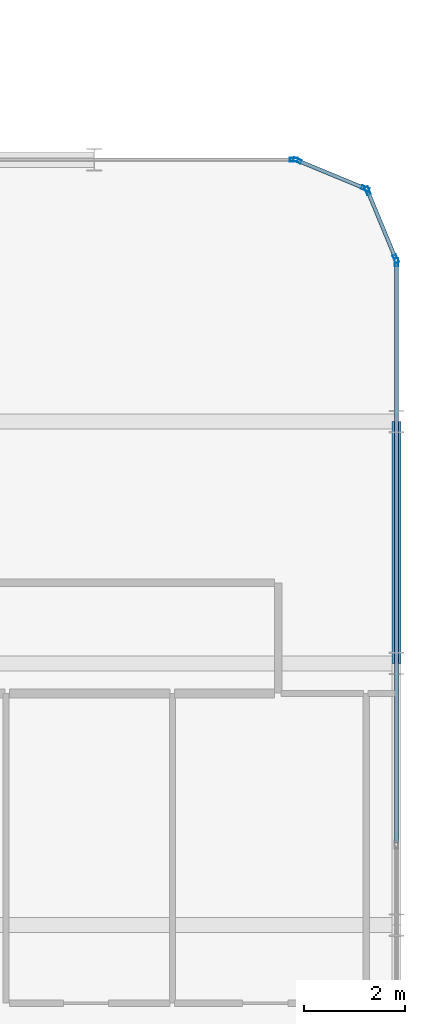
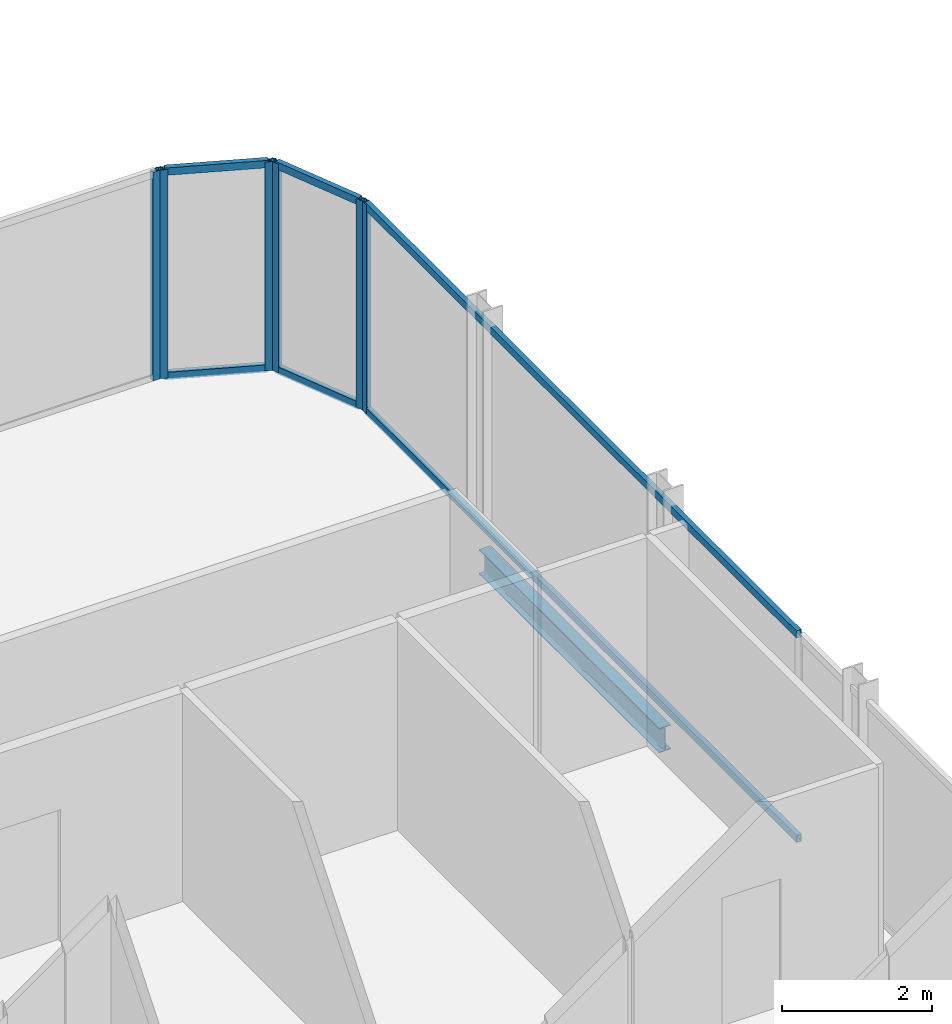
# One storey, part 15 of 29: 12 members, 1 beam, 4 elements without a shape of their own.
"""IFC4 building model written with IfcOpenShell, lengths in metres."""

from ifc_helpers import new_model, si_unit, direction, frame, origin, origin_2d, place, context, subcontext, project, spatial, hollow_rectangle, i_section, extrude, material, layer, layer_set, material_profile, profile_set, type_object, element, aggregate, save


model = new_model("IFC4")

# Units and contexts
model_context = context("Model", 3, precision=1e-05, world=origin(), true_north=direction((0.0, 1.0)))
body_context = subcontext(model_context, "Body", "Model", "MODEL_VIEW")
ifc_project = project(units=[si_unit("LENGTHUNIT", "METRE"), si_unit("AREAUNIT", "SQUARE_METRE"), si_unit("VOLUMEUNIT", "CUBIC_METRE"), si_unit("PLANEANGLEUNIT", "RADIAN"), si_unit("MASSUNIT", "GRAM", prefix="KILO")], contexts=[model_context])

# Site, building, storey
site_placement = place(None, origin())
site = spatial("IfcSite", under=ifc_project, at=site_placement, CompositionType="ELEMENT")
building_placement = place(site_placement, origin())
building = spatial("IfcBuilding", under=site, at=building_placement, Name="Keshet Zoharim Tower", CompositionType="ELEMENT")
storey_placement = place(building_placement, frame((0.0, 0.0, 199.5)))
storey = spatial("IfcBuildingStorey", under=building, at=storey_placement, Name="L49", CompositionType="ELEMENT", Elevation=199.5)

# Beam
ifc_material_1 = material(Name="Steel S355", Category="steel")
ifc_material_profile_1 = material_profile(ifc_material_1, i_section(OverallWidth=0.179931640625, OverallDepth=0.39990234375, WebThickness=0.008544921875, FlangeThickness=0.013427734375, FilletRadius=0.02099609375, at=origin_2d()), Name="IPE400")
ifc_profile_set_1 = profile_set([ifc_material_profile_1], Name="Steel S355")
beam_type = type_object("IfcBeamType", Name="BM-PRI-IP400", PredefinedType="BEAM", material=ifc_profile_set_1)
beam_placement = place(storey_placement, frame((57.0, 17.89990234375, -0.510009765625), z_axis=(0.0, 1.0, 0.0), x_axis=(-1.0, 0.0, 0.0)))
element("IfcBeam", 1, at=beam_placement, inside=storey, type_object=beam_type, Name="L49 Primary Girder Y-015", PredefinedType="BEAM", context=body_context, shape_type="SweptSolid", body=[
    extrude(i_section(OverallWidth=0.179931640625, OverallDepth=0.39990234375, WebThickness=0.008544921875, FlangeThickness=0.013427734375, FilletRadius=0.02099609375, at=origin_2d()), origin(), (0.0, 0.0, 1.0), 4.800048828125),
])

# Curtain wall, members
ifc_material_2 = material(Name="Aluminium 6063-T6", Category="aluminium")
ifc_layer = layer(ifc_material_2, 0.139892578125)
ifc_layer_set = layer_set([ifc_layer], Name="Aluminium 6063-T6")
curtain_wall_type = type_object("IfcCurtainWallType", Name="CW-SYS-05", PredefinedType="NOTDEFINED", material=ifc_layer_set)
curtain_wall_1_placement = place(storey_placement, origin())
curtain_wall_1 = element("IfcCurtainWall", 2, at=curtain_wall_1_placement, inside=storey, type_object=curtain_wall_type, Name="L49 Unitised Curtain Wall 01", PredefinedType="NOTDEFINED")
ifc_material_profile_2 = material_profile(ifc_material_2, hollow_rectangle(XDim=0.074951171875, YDim=0.159912109375, WallThickness=0.00390625, at=origin_2d()), Name="MUL-75x160")
ifc_profile_set_2 = profile_set([ifc_material_profile_2], Name="Aluminium 6063-T6")
member_type_1 = type_object("IfcMemberType", Name="CWM-M15", PredefinedType="MULLION", material=ifc_profile_set_2)
member_1_placement = place(storey_placement, frame((55.0322265625, 27.88671875, 0.0), z_axis=(0.0, 0.0, 1.0), x_axis=(0.382851849847, 0.92380975372, 0.0)))
member_1 = element("IfcMember", 3, at=member_1_placement, type_object=member_type_1, Name="CW-05 mullion 1", PredefinedType="MULLION", context=body_context, shape_type="SweptSolid", body=[
    extrude(hollow_rectangle(XDim=0.074951171875, YDim=0.159912109375, WallThickness=0.00390625, at=origin_2d()), origin(), (0.0, 0.0, 1.0), 3.389892578125),
])
member_2_placement = place(storey_placement, frame((56.381591796875, 27.327392578125, 0.0), z_axis=(0.0, 0.0, 1.0), x_axis=(0.382851849847, 0.92380975372, 0.0)))
member_2 = element("IfcMember", 4, at=member_2_placement, type_object=member_type_1, Name="CW-05 mullion 2", PredefinedType="MULLION", context=body_context, shape_type="SweptSolid", body=[
    extrude(hollow_rectangle(XDim=0.074951171875, YDim=0.159912109375, WallThickness=0.00390625, at=origin_2d()), origin(), (0.0, 0.0, 1.0), 3.389892578125),
])

curtain_wall_2_placement = place(storey_placement, origin())
curtain_wall_2 = element("IfcCurtainWall", 5, at=curtain_wall_2_placement, inside=storey, type_object=curtain_wall_type, Name="L49 Unitised Curtain Wall 02", PredefinedType="NOTDEFINED")
member_3_placement = place(storey_placement, frame((56.427490234375, 27.28173828125, 0.0), z_axis=(0.0, 0.0, 1.0), x_axis=(0.92380975372, 0.382851849847, 0.0)))
member_3 = element("IfcMember", 6, at=member_3_placement, type_object=member_type_1, Name="CW-05 mullion 1", PredefinedType="MULLION", context=body_context, shape_type="SweptSolid", body=[
    extrude(hollow_rectangle(XDim=0.074951171875, YDim=0.159912109375, WallThickness=0.00390625, at=origin_2d()), origin(), (0.0, 0.0, 1.0), 3.389892578125),
])
member_4_placement = place(storey_placement, frame((56.986572265625, 25.932373046875, 0.0), z_axis=(0.0, 0.0, 1.0), x_axis=(0.92380975372, 0.382851849847, 0.0)))
member_4 = element("IfcMember", 7, at=member_4_placement, type_object=member_type_1, Name="CW-05 mullion 2", PredefinedType="MULLION", context=body_context, shape_type="SweptSolid", body=[
    extrude(hollow_rectangle(XDim=0.074951171875, YDim=0.159912109375, WallThickness=0.00390625, at=origin_2d()), origin(), (0.0, 0.0, 1.0), 3.389892578125),
])

# Curtain wall, member
curtain_wall_3_placement = place(storey_placement, origin())
curtain_wall_3 = element("IfcCurtainWall", 8, at=curtain_wall_3_placement, inside=storey, type_object=curtain_wall_type, Name="L49 Unitised Curtain Wall 03", PredefinedType="NOTDEFINED")
member_5_placement = place(storey_placement, frame((57.0, 25.864990234375, 0.0), z_axis=(0.0, 0.0, 1.0), x_axis=(1.0, 0.0, 0.0)))
member_5 = element("IfcMember", 9, at=member_5_placement, type_object=member_type_1, Name="CW-05 mullion 1", PredefinedType="MULLION", context=body_context, shape_type="SweptSolid", body=[
    extrude(hollow_rectangle(XDim=0.074951171875, YDim=0.159912109375, WallThickness=0.00390625, at=origin_2d()), origin(), (0.0, 0.0, 1.0), 3.389892578125),
])

curtain_wall_4_placement = place(storey_placement, origin())
curtain_wall_4 = element("IfcCurtainWall", 10, at=curtain_wall_4_placement, inside=storey, type_object=curtain_wall_type, Name="L49 Unitised Curtain Wall 20 Part 2", PredefinedType="NOTDEFINED")
member_6_placement = place(storey_placement, frame((54.965087890625, 27.89990234375, 0.0), z_axis=(0.0, 0.0, 1.0), x_axis=(0.0, 1.0, 0.0)))
member_6 = element("IfcMember", 11, at=member_6_placement, type_object=member_type_1, Name="CW-05 mullion 2", PredefinedType="MULLION", context=body_context, shape_type="SweptSolid", body=[
    extrude(hollow_rectangle(XDim=0.074951171875, YDim=0.159912109375, WallThickness=0.00390625, at=origin_2d()), origin(), (0.0, 0.0, 1.0), 3.389892578125),
])
aggregate(curtain_wall_4, [member_6])

# Member
ifc_material_profile_3 = material_profile(ifc_material_2, hollow_rectangle(XDim=0.074951171875, YDim=0.1201171875, WallThickness=0.00390625, at=origin_2d()), Name="TRN-75x120")
ifc_profile_set_3 = profile_set([ifc_material_profile_3], Name="Aluminium 6063-T6")
member_type_2 = type_object("IfcMemberType", Name="CWT-T12", PredefinedType="USERDEFINED", material=ifc_profile_set_3)
member_7_placement = place(storey_placement, frame((55.064697265625, 27.873291015625, 0.034912109375), z_axis=(0.92379209995, -0.382894445076, 0.0), x_axis=(0.382894445076, 0.92379209995, 0.0)))
member_7 = element("IfcMember", 12, at=member_7_placement, type_object=member_type_2, Name="CW-05 transom 1.1", ObjectType="TRANSOM", PredefinedType="USERDEFINED", context=body_context, shape_type="SweptSolid", body=[
    extrude(hollow_rectangle(XDim=0.074951171875, YDim=0.1201171875, WallThickness=0.00390625, at=origin_2d()), origin(), (0.0, 0.0, 1.0), 1.390625),
])

member_8_placement = place(storey_placement, frame((55.064697265625, 27.873291015625, 3.35498046875), z_axis=(0.92379209995, -0.382894445076, 0.0), x_axis=(0.382894445076, 0.92379209995, 0.0)))
member_8 = element("IfcMember", 13, at=member_8_placement, type_object=member_type_2, Name="CW-05 transom 1.2", ObjectType="TRANSOM", PredefinedType="USERDEFINED", context=body_context, shape_type="SweptSolid", body=[
    extrude(hollow_rectangle(XDim=0.074951171875, YDim=0.1201171875, WallThickness=0.00390625, at=origin_2d()), origin(), (0.0, 0.0, 1.0), 1.390625),
])

aggregate(curtain_wall_1, [member_1, member_2, member_7, member_8])

member_9_placement = place(storey_placement, frame((56.44091796875, 27.249267578125, 0.034912109375), z_axis=(0.382744609247, -0.923854189844, 0.0), x_axis=(0.923854189844, 0.382744609247, 0.0)))
member_9 = element("IfcMember", 14, at=member_9_placement, type_object=member_type_2, Name="CW-05 transom 1.1", ObjectType="TRANSOM", PredefinedType="USERDEFINED", context=body_context, shape_type="SweptSolid", body=[
    extrude(hollow_rectangle(XDim=0.074951171875, YDim=0.1201171875, WallThickness=0.00390625, at=origin_2d()), origin(), (0.0, 0.0, 1.0), 1.390625),
])

member_10_placement = place(storey_placement, frame((56.44091796875, 27.249267578125, 3.35498046875), z_axis=(0.382744609247, -0.923854189844, 0.0), x_axis=(0.923854189844, 0.382744609247, 0.0)))
member_10 = element("IfcMember", 15, at=member_10_placement, type_object=member_type_2, Name="CW-05 transom 1.2", ObjectType="TRANSOM", PredefinedType="USERDEFINED", context=body_context, shape_type="SweptSolid", body=[
    extrude(hollow_rectangle(XDim=0.074951171875, YDim=0.1201171875, WallThickness=0.00390625, at=origin_2d()), origin(), (0.0, 0.0, 1.0), 1.390625),
])

aggregate(curtain_wall_2, [member_3, member_4, member_9, member_10])

member_11_placement = place(storey_placement, frame((57.0, 25.830078125, 0.034912109375), z_axis=(0.0, -1.0, 0.0), x_axis=(1.0, 0.0, 0.0)))
member_11 = element("IfcMember", 16, at=member_11_placement, type_object=member_type_2, Name="CW-05 transom 1.1", ObjectType="TRANSOM", PredefinedType="USERDEFINED", context=body_context, shape_type="SweptSolid", body=[
    extrude(hollow_rectangle(XDim=0.074951171875, YDim=0.1201171875, WallThickness=0.00390625, at=origin_2d()), origin(), (0.0, 0.0, 1.0), 11.4951171875),
])

member_12_placement = place(storey_placement, frame((57.0, 25.830078125, 3.35498046875), z_axis=(0.0, -1.0, 0.0), x_axis=(1.0, 0.0, 0.0)))
member_12 = element("IfcMember", 17, at=member_12_placement, type_object=member_type_2, Name="CW-05 transom 1.2", ObjectType="TRANSOM", PredefinedType="USERDEFINED", context=body_context, shape_type="SweptSolid", body=[
    extrude(hollow_rectangle(XDim=0.074951171875, YDim=0.1201171875, WallThickness=0.00390625, at=origin_2d()), origin(), (0.0, 0.0, 1.0), 11.4951171875),
])

aggregate(curtain_wall_3, [member_5, member_11, member_12])

save(model, "model.ifc")
